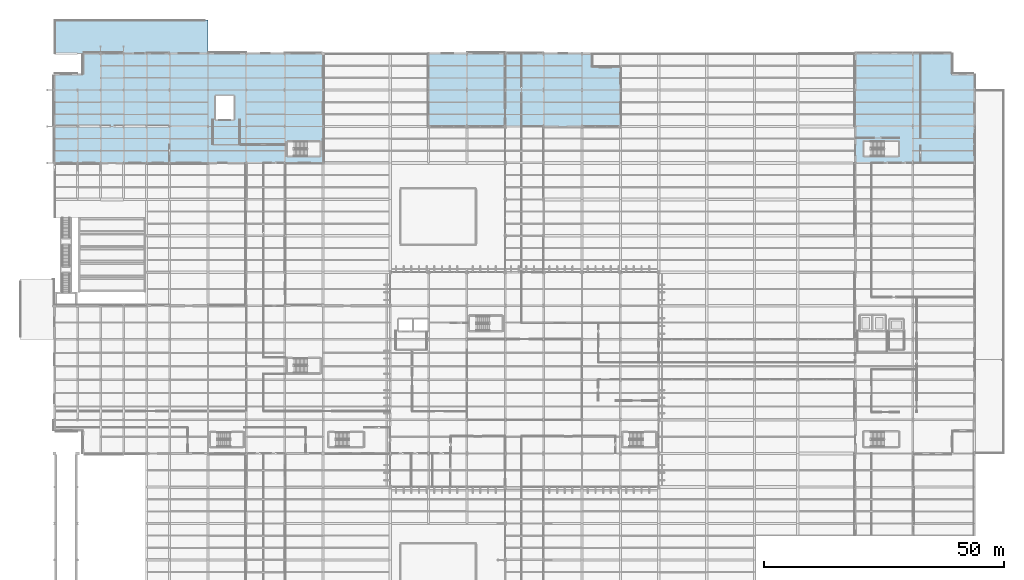
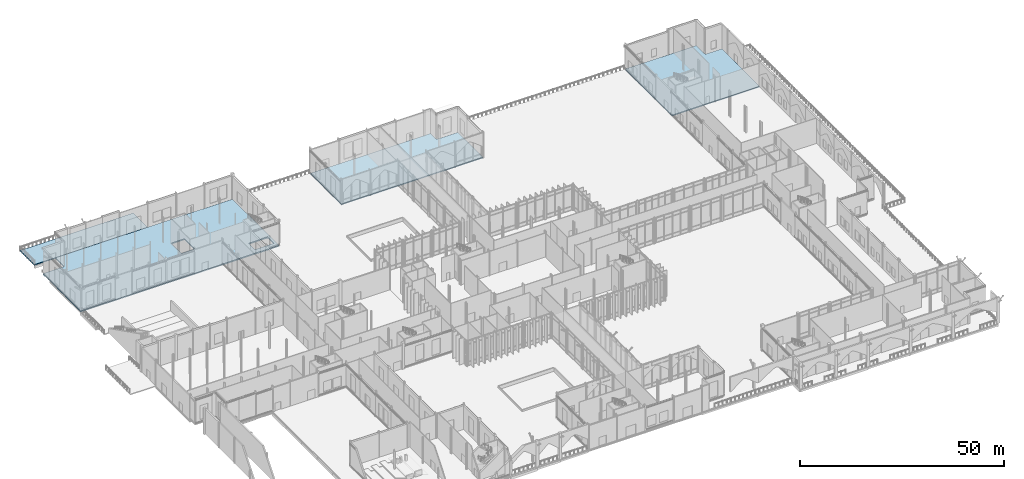
# One storey, part 126 of 176: 4 slabs.
"""IFC4 building model written with IfcOpenShell, lengths in metres."""

from ifc_helpers import new_model, si_unit, direction, frame, origin, place, context, subcontext, project, spatial, polyline, outline, extrude, material, layer, layer_set, type_object, element, save


model = new_model("IFC4")

# Units and contexts
model_context = context("Model", 3, precision=1e-05, world=origin(), true_north=direction((0.0, 1.0)))
body_context = subcontext(model_context, "Body", "Model", "MODEL_VIEW")
ifc_project = project(units=[si_unit("LENGTHUNIT", "METRE"), si_unit("AREAUNIT", "SQUARE_METRE"), si_unit("VOLUMEUNIT", "CUBIC_METRE"), si_unit("PLANEANGLEUNIT", "RADIAN"), si_unit("MASSUNIT", "GRAM", prefix="KILO")], contexts=[model_context])

# Site, building, storey
site_placement = place(None, origin())
site = spatial("IfcSite", under=ifc_project, at=site_placement, CompositionType="ELEMENT")
building_placement = place(site_placement, origin())
building = spatial("IfcBuilding", under=site, at=building_placement, Name="Vekula Escarpment Museum", CompositionType="ELEMENT")
storey_placement = place(building_placement, origin())
storey = spatial("IfcBuildingStorey", under=building, at=storey_placement, Name="L01", CompositionType="ELEMENT", Elevation=0.0)

# Slabs
ifc_material_1 = material(Name="Concrete C35/45", Category="concrete")
ifc_layer_1 = layer(ifc_material_1, 0.25)
ifc_layer_set_1 = layer_set([ifc_layer_1], Name="Concrete C35/45")
slab_type_1 = type_object("IfcSlabType", Name="SL-APR-250", PredefinedType="BASESLAB", material=ifc_layer_set_1)
slab_1_placement = place(storey_placement, frame((0.0, 0.0, -0.25)))
element("IfcSlab", 1, at=slab_1_placement, inside=storey, type_object=slab_type_1, Name="Exterior Vehicle Apron T-L01-APRON", PredefinedType="BASESLAB", context=body_context, shape_type="SweptSolid", body=[
    extrude(outline(polyline([(0.0, 136.0), (32.0, 136.0), (32.0, 143.0), (0.0, 143.0), (0.0, 136.0)])), origin(), (0.0, 0.0, 1.0), 0.25),
])
ifc_material_2 = material(Name="Concrete C35/45", Category="concrete")
ifc_layer_2 = layer(ifc_material_2, 0.300048828125)
ifc_layer_set_2 = layer_set([ifc_layer_2], Name="Concrete C35/45")
slab_type_2 = type_object("IfcSlabType", Name="SL-FLR-300", PredefinedType="FLOOR", material=ifc_layer_set_2)
slab_2_placement = place(storey_placement, frame((0.0, 0.0, -0.300048828125)))
element("IfcSlab", 2, at=slab_2_placement, inside=storey, type_object=slab_type_2, Name="Floor Slab W-L01-V2-N", PredefinedType="FLOOR", context=body_context, shape_type="SweptSolid", body=[
    extrude(outline(polyline([(78.0, 120.800048828125), (118.0, 120.800048828125), (118.0, 133.112060546875), (112.0, 133.112060546875), (112.0, 136.0), (78.0, 136.0), (78.0, 120.800048828125)])), origin(), (0.0, 0.0, 1.0), 0.300048828125),
])
slab_3_placement = place(storey_placement, frame((0.0, 0.0, -0.300048828125)))
element("IfcSlab", 3, at=slab_3_placement, inside=storey, type_object=slab_type_2, Name="Floor Slab W-L01-V3-NE", PredefinedType="FLOOR", context=body_context, shape_type="SweptSolid", body=[
    extrude(outline(polyline([(167.0, 113.199951171875), (191.800048828125, 113.199951171875), (191.800048828125, 131.66796875), (187.087890625, 131.66796875), (187.087890625, 136.0), (167.0, 136.0), (167.0, 113.199951171875)])), origin(), (0.0, 0.0, 1.0), 0.300048828125),
])
ifc_material_3 = material(Name="Concrete C35/45", Category="concrete")
ifc_layer_3 = layer(ifc_material_3, 0.35009765625)
ifc_layer_set_3 = layer_set([ifc_layer_3], Name="Concrete C35/45")
slab_type_3 = type_object("IfcSlabType", Name="SL-FLR-350", PredefinedType="FLOOR", material=ifc_layer_set_3)
slab_4_placement = place(storey_placement, frame((0.0, 0.0, -0.35009765625)))
element("IfcSlab", 4, at=slab_4_placement, inside=storey, type_object=slab_type_3, Name="Floor Slab W-L01-V5-NW", PredefinedType="FLOOR", context=body_context, shape_type="SweptSolid", body=[
    extrude(outline(polyline([(0.0, 113.199951171875), (56.0, 113.199951171875), (56.0, 136.0), (6.0, 136.0), (6.0, 131.66796875), (0.0, 131.66796875), (0.0, 113.199951171875)]), holes=[polyline([(49.97998046875, 114.60009765625), (55.39990234375, 114.60009765625), (55.39990234375, 117.639892578125), (49.97998046875, 117.639892578125), (49.97998046875, 114.60009765625)]), polyline([(33.60009765625, 122.199951171875), (37.39990234375, 122.199951171875), (37.39990234375, 127.199951171875), (33.60009765625, 127.199951171875), (33.60009765625, 122.199951171875)])]), origin(), (0.0, 0.0, 1.0), 0.35009765625),
])

save(model, "model.ifc")
